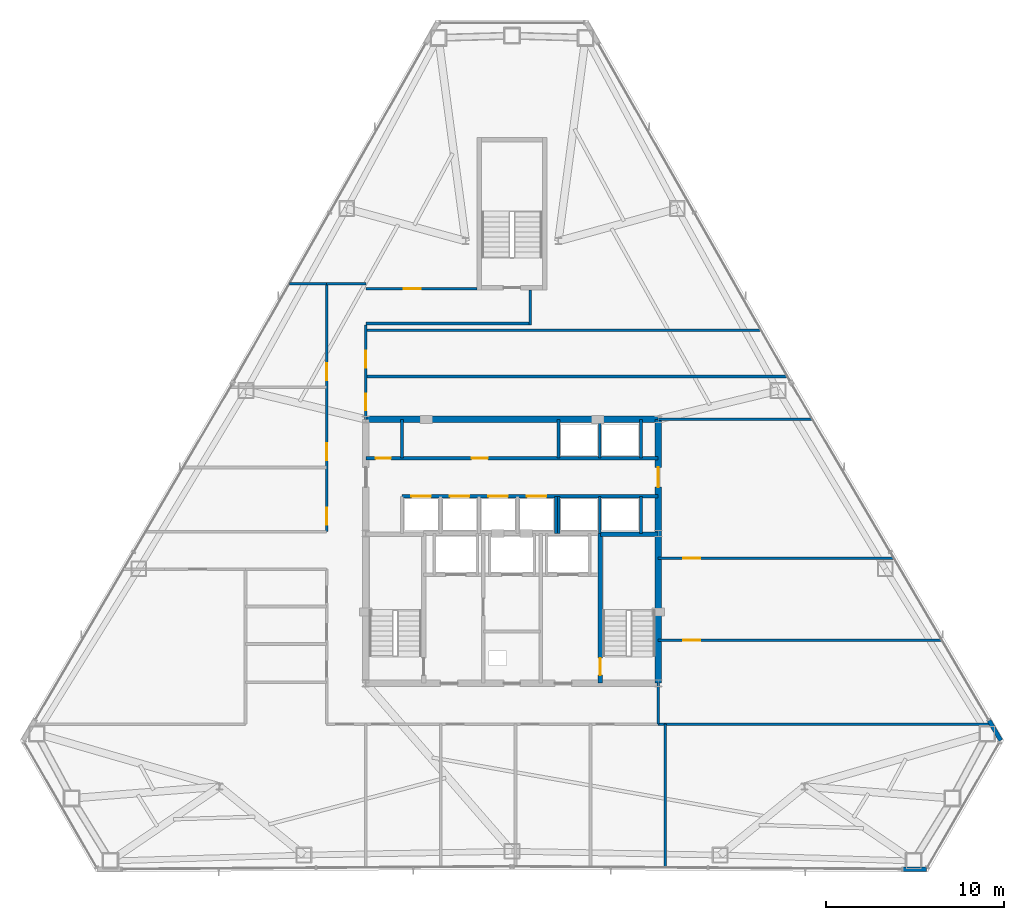
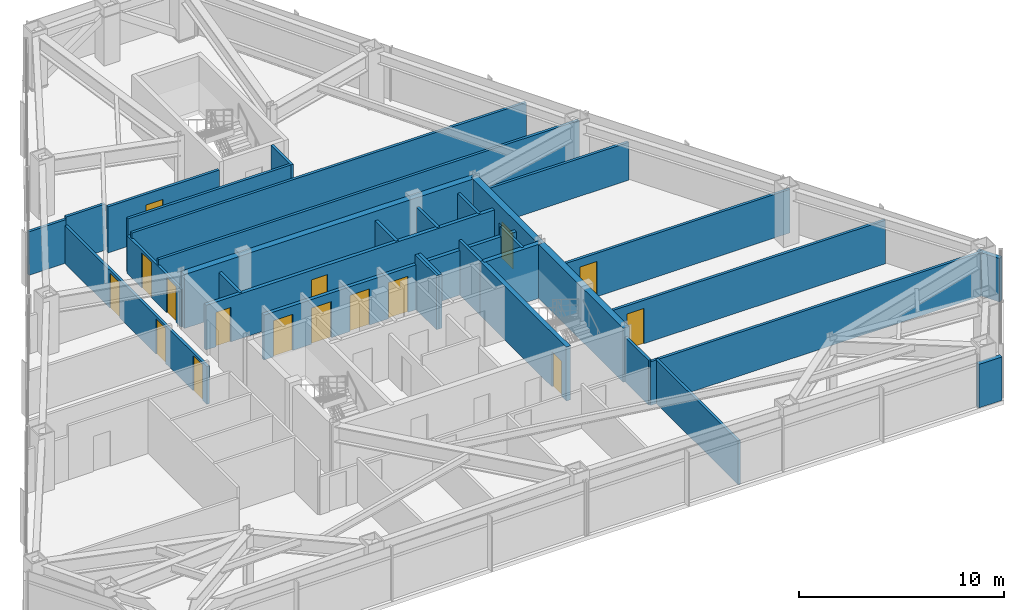
# One storey, part 11 of 13: 31 walls, 16 doors, 16 openings.
"""IFC4 building model written with IfcOpenShell, lengths in metres."""

from ifc_helpers import new_model, si_unit, direction, frame, frame_2d, origin, place, context, subcontext, project, spatial, rectangle, extrude, material, layer, layer_set, type_object, element, fill, save


model = new_model("IFC4")

# Units and contexts
model_context = context("Model", 3, precision=1e-05, world=origin(), true_north=direction((0.0, 1.0)))
body_context = subcontext(model_context, "Body", "Model", "MODEL_VIEW")
ifc_project = project(units=[si_unit("LENGTHUNIT", "METRE"), si_unit("AREAUNIT", "SQUARE_METRE"), si_unit("VOLUMEUNIT", "CUBIC_METRE"), si_unit("PLANEANGLEUNIT", "RADIAN"), si_unit("MASSUNIT", "GRAM", prefix="KILO")], contexts=[model_context])

# Site, building, storey
site_placement = place(None, origin())
site = spatial("IfcSite", under=ifc_project, at=site_placement, CompositionType="ELEMENT")
building_placement = place(site_placement, origin())
building = spatial("IfcBuilding", under=site, at=building_placement, Name="Varakhsha Concourse Tower", CompositionType="ELEMENT")
storey_placement = place(building_placement, frame((0.0, 0.0, 133.25)))
storey = spatial("IfcBuildingStorey", under=building, at=storey_placement, Name="L38", CompositionType="ELEMENT", Elevation=133.25)

# Wall
ifc_material_1 = material(Name="Concrete fc 65 MPa", Category="concrete")
ifc_layer_1 = layer(ifc_material_1, 0.35009765625, Name="WL-CORE-350")
ifc_layer_set_1 = layer_set([ifc_layer_1], Name="Concrete fc 65 MPa")
wall_type_1 = type_object("IfcWallType", Name="WL-CORE-350", PredefinedType="SHEAR", material=ifc_layer_set_1)
wall_1_placement = place(storey_placement, frame((31.800048828125, 31.199951171875, 0.0), z_axis=(0.0, 0.0, 1.0), x_axis=(1.0, 0.0, 0.0)))
element("IfcWall", 1, at=wall_1_placement, inside=storey, type_object=wall_type_1, Name="L38 Wall CWALL-N-L38", PredefinedType="SHEAR", context=body_context, shape_type="SweptSolid", body=[
    extrude(rectangle(XDim=16.39990234375, YDim=0.35009765625, at=frame_2d((8.199951171875, 0.0))), origin(), (0.0, 0.0, 1.0), 3.2099609375),
])

# Wall, opening, door
wall_2_placement = place(storey_placement, frame((48.199951171875, 16.39990234375, 0.0), z_axis=(0.0, 0.0, 1.0), x_axis=(0.0, 1.0, 0.0)))
wall_2 = element("IfcWall", 2, at=wall_2_placement, inside=storey, type_object=wall_type_1, Name="L38 Wall CWALL-E-L38", PredefinedType="SHEAR", context=body_context, shape_type="SweptSolid", body=[
    extrude(rectangle(XDim=14.800048828125, YDim=0.35009765625, at=frame_2d((7.39990234375, 0.0))), origin(), (0.0, 0.0, 1.0), 3.2099609375),
])
opening_1_placement = place(wall_2_placement, frame((11.0, 0.0, 0.0)))
opening_1 = element("IfcOpeningElement", 3, at=opening_1_placement, cuts=wall_2, Name="Opening DL-01", PredefinedType="OPENING", context=body_context, shape_type="SweptSolid", body=[
    extrude(rectangle(XDim=1.10009765625, YDim=2.14990234375, at=frame_2d((0.550048828125, 1.074951171875))), frame((0.0, 0.18505859375, 0.0), z_axis=(0.0, -1.0, 0.0), x_axis=(1.0, 0.0, 0.0)), (0.0, 0.0, 1.0), 0.3701171875),
])
ifc_material_2 = material(Name="Anodised Bronze Architectural Aluminium AA 6063-T6", Category="aluminium")
door_type_1 = type_object("IfcDoorType", Name="DR-LOB-1100", OperationType="NOTDEFINED", PredefinedType="DOOR", material=ifc_material_2)
door_1_placement = place(opening_1_placement, origin())
door_1 = element("IfcDoor", 4, at=door_1_placement, inside=storey, type_object=door_type_1, Name="L38 Lift Lobby East Concourse Door", OperationType="SINGLE_SWING_RIGHT", OverallHeight=2.14990234375, OverallWidth=1.10009765625, PredefinedType="DOOR", context=body_context, shape_type="SweptSolid", body=[
    extrude(rectangle(XDim=1.10009765625, YDim=2.14990234375, at=frame_2d((0.550048828125, 1.074951171875))), frame((0.0, 0.02490234375, 0.0), z_axis=(0.0, -1.0, 0.0), x_axis=(1.0, 0.0, 0.0)), (0.0, 0.0, 1.0), 0.050048828125),
])
fill(opening_1, door_1)

# Walls
ifc_material_3 = material(Name="Concrete fc 45 MPa", Category="concrete")
ifc_layer_2 = layer(ifc_material_3, 0.239990234375, Name="WL-EXT-CRN-240")
ifc_layer_set_2 = layer_set([ifc_layer_2], Name="Concrete fc 45 MPa")
wall_type_2 = type_object("IfcWallType", Name="WL-EXT-CRN-240", PredefinedType="SHEAR", material=ifc_layer_set_2)
for number, where, z_axis, x_axis, name in (
    (5, (61.9453125, 5.96923828125, 0.0), (0.0, 0.0, 1.0), (0.999978318694, -0.006584993632, 0.0), "L38 Wind-Corner Shoulder Wall F6"),
    (6, (67.417236328125, 13.190673828125, 0.0), (0.0, 0.0, 1.0), (-0.50575330013, 0.86267815517, 0.0), "L38 Wind-Corner Shoulder Wall F8"),
):
    element("IfcWall", number, at=place(storey_placement, frame(where, z_axis=z_axis, x_axis=x_axis)), inside=storey, type_object=wall_type_2, Name=name, PredefinedType="SHEAR", context=body_context, shape_type="SweptSolid", body=[
        extrude(rectangle(XDim=1.297607421875, YDim=0.239990234375, at=frame_2d((0.64892578125, 0.0))), origin(), (0.0, 0.0, 1.0), 2.5830078125),
    ])
ifc_material_4 = material(Name="Fire-Rated Type X Gypsum Partition Assembly", Category="gypsum")
ifc_layer_3 = layer(ifc_material_4, 0.14990234375, Name="WL-PART-150")
ifc_layer_set_3 = layer_set([ifc_layer_3], Name="Fire-Rated Type X Gypsum Partition Assembly")
wall_type_3 = type_object("IfcWallType", Name="WL-PART-150", PredefinedType="PARTITIONING", material=ifc_layer_set_3)
wall_3_placement = place(storey_placement, frame((48.199951171875, 14.10009765625, 0.0), z_axis=(0.0, 0.0, 1.0), x_axis=(0.0, 1.0, 0.0)))
element("IfcWall", 7, at=wall_3_placement, inside=storey, type_object=wall_type_3, Name="L38 Wall CRW-SE-L38", PredefinedType="PARTITIONING", context=body_context, shape_type="SweptSolid", body=[
    extrude(rectangle(XDim=2.2998046875, YDim=0.14990234375, at=frame_2d((1.14990234375, 0.0))), origin(), (0.0, 0.0, 1.0), 2.660888671875),
])

# Wall, openings, doors
wall_4_placement = place(storey_placement, frame((29.60009765625, 24.89990234375, 0.0), z_axis=(0.0, 0.0, 1.0), x_axis=(0.0, 1.0, 0.0)))
wall_4 = element("IfcWall", 8, at=wall_4_placement, inside=storey, type_object=wall_type_3, Name="L38 Wall CRW-WN-L38", PredefinedType="PARTITIONING", context=body_context, shape_type="SweptSolid", body=[
    extrude(rectangle(XDim=13.900146484375, YDim=0.14990234375, at=frame_2d((6.9501953125, 0.0))), origin(), (0.0, 0.0, 1.0), 2.251953125),
])
opening_2_placement = place(wall_4_placement, frame((0.39990234375, 0.0, 0.0)))
opening_2 = element("IfcOpeningElement", 9, at=opening_2_placement, cuts=wall_4, Name="Opening DF-05", PredefinedType="OPENING", context=body_context, shape_type="SweptSolid", body=[
    extrude(rectangle(XDim=0.949951171875, YDim=2.10009765625, at=frame_2d((0.47509765625, 1.050048828125))), frame((0.0, 0.0849609375, 0.0), z_axis=(0.0, -1.0, 0.0), x_axis=(1.0, 0.0, 0.0)), (0.0, 0.0, 1.0), 0.169921875),
])
opening_3_placement = place(wall_4_placement, frame((4.0, 0.0, 0.0)))
opening_3 = element("IfcOpeningElement", 10, at=opening_3_placement, cuts=wall_4, Name="Opening DF-05", PredefinedType="OPENING", context=body_context, shape_type="SweptSolid", body=[
    extrude(rectangle(XDim=0.949951171875, YDim=2.10009765625, at=frame_2d((0.47509765625, 1.050048828125))), frame((0.0, 0.0849609375, 0.0), z_axis=(0.0, -1.0, 0.0), x_axis=(1.0, 0.0, 0.0)), (0.0, 0.0, 1.0), 0.169921875),
])
opening_4_placement = place(wall_4_placement, frame((8.5, 0.0, 0.0)))
opening_4 = element("IfcOpeningElement", 11, at=opening_4_placement, cuts=wall_4, Name="Opening DF-05", PredefinedType="OPENING", context=body_context, shape_type="SweptSolid", body=[
    extrude(rectangle(XDim=0.949951171875, YDim=2.10009765625, at=frame_2d((0.47509765625, 1.050048828125))), frame((0.0, 0.0849609375, 0.0), z_axis=(0.0, -1.0, 0.0), x_axis=(1.0, 0.0, 0.0)), (0.0, 0.0, 1.0), 0.169921875),
])
ifc_material_5 = material(Name="Hollow Galvanised Steel Fire Door Assembly", Category="steel")
door_type_2 = type_object("IfcDoorType", Name="DR-FD60-950", OperationType="NOTDEFINED", PredefinedType="DOOR", material=ifc_material_5)
door_2_placement = place(opening_2_placement, origin())
door_2 = element("IfcDoor", 12, at=door_2_placement, inside=storey, type_object=door_type_2, Name="L38 Lab Staff Refreshment Kitchen L38-NW Door", OperationType="SINGLE_SWING_RIGHT", OverallHeight=2.10009765625, OverallWidth=0.949951171875, PredefinedType="DOOR", context=body_context, shape_type="SweptSolid", body=[
    extrude(rectangle(XDim=0.949951171875, YDim=2.10009765625, at=frame_2d((0.47509765625, 1.050048828125))), frame((0.0, 0.02490234375, 0.0), z_axis=(0.0, -1.0, 0.0), x_axis=(1.0, 0.0, 0.0)), (0.0, 0.0, 1.0), 0.050048828125),
])
fill(opening_2, door_2)
door_3_placement = place(opening_3_placement, origin())
door_3 = element("IfcDoor", 13, at=door_3_placement, inside=storey, type_object=door_type_2, Name="L38 Dry R&D Design Lab L38-W2 Door", OperationType="SINGLE_SWING_LEFT", OverallHeight=2.10009765625, OverallWidth=0.949951171875, PredefinedType="DOOR", context=body_context, shape_type="SweptSolid", body=[
    extrude(rectangle(XDim=0.949951171875, YDim=2.10009765625, at=frame_2d((0.47509765625, 1.050048828125))), frame((0.0, 0.02490234375, 0.0), z_axis=(0.0, -1.0, 0.0), x_axis=(1.0, 0.0, 0.0)), (0.0, 0.0, 1.0), 0.050048828125),
])
fill(opening_3, door_3)
door_4_placement = place(opening_4_placement, origin())
door_4 = element("IfcDoor", 14, at=door_4_placement, inside=storey, type_object=door_type_2, Name="L38 Dry R&D Design Lab L38-W3 Door", OperationType="SINGLE_SWING_RIGHT", OverallHeight=2.10009765625, OverallWidth=0.949951171875, PredefinedType="DOOR", context=body_context, shape_type="SweptSolid", body=[
    extrude(rectangle(XDim=0.949951171875, YDim=2.10009765625, at=frame_2d((0.47509765625, 1.050048828125))), frame((0.0, 0.02490234375, 0.0), z_axis=(0.0, -1.0, 0.0), x_axis=(1.0, 0.0, 0.0)), (0.0, 0.0, 1.0), 0.050048828125),
])
fill(opening_4, door_4)

wall_5_placement = place(storey_placement, frame((31.800048828125, 31.199951171875, 0.0), z_axis=(0.0, 0.0, 1.0), x_axis=(0.0, 1.0, 0.0)))
wall_5 = element("IfcWall", 15, at=wall_5_placement, inside=storey, type_object=wall_type_3, Name="L38 Wall CRW-NE-L38", PredefinedType="PARTITIONING", context=body_context, shape_type="SweptSolid", body=[
    extrude(rectangle(XDim=5.300048828125, YDim=0.14990234375, at=frame_2d((2.64990234375, 0.0))), origin(), (0.0, 0.0, 1.0), 2.251953125),
])
opening_5_placement = place(wall_5_placement, frame((0.5, 0.0, 0.0)))
opening_5 = element("IfcOpeningElement", 16, at=opening_5_placement, cuts=wall_5, Name="Opening DF-05", PredefinedType="OPENING", context=body_context, shape_type="SweptSolid", body=[
    extrude(rectangle(XDim=0.949951171875, YDim=2.10009765625, at=frame_2d((0.47509765625, 1.050048828125))), frame((0.0, 0.0849609375, 0.0), z_axis=(0.0, -1.0, 0.0), x_axis=(1.0, 0.0, 0.0)), (0.0, 0.0, 1.0), 0.169921875),
])
opening_6_placement = place(wall_5_placement, frame((2.89990234375, 0.0, 0.0)))
opening_6 = element("IfcOpeningElement", 17, at=opening_6_placement, cuts=wall_5, Name="Opening DF-05", PredefinedType="OPENING", context=body_context, shape_type="SweptSolid", body=[
    extrude(rectangle(XDim=0.949951171875, YDim=2.10009765625, at=frame_2d((0.47509765625, 1.050048828125))), frame((0.0, 0.0849609375, 0.0), z_axis=(0.0, -1.0, 0.0), x_axis=(1.0, 0.0, 0.0)), (0.0, 0.0, 1.0), 0.169921875),
])
door_5_placement = place(opening_5_placement, origin())
door_5 = element("IfcDoor", 18, at=door_5_placement, inside=storey, type_object=door_type_2, Name="L38 Mountain View BIM Coordination Workroom L38-NE1 Door", OperationType="SINGLE_SWING_RIGHT", OverallHeight=2.10009765625, OverallWidth=0.949951171875, PredefinedType="DOOR", context=body_context, shape_type="SweptSolid", body=[
    extrude(rectangle(XDim=0.949951171875, YDim=2.10009765625, at=frame_2d((0.47509765625, 1.050048828125))), frame((0.0, 0.02490234375, 0.0), z_axis=(0.0, -1.0, 0.0), x_axis=(1.0, 0.0, 0.0)), (0.0, 0.0, 1.0), 0.050048828125),
])
fill(opening_5, door_5)
door_6_placement = place(opening_6_placement, origin())
door_6 = element("IfcDoor", 19, at=door_6_placement, inside=storey, type_object=door_type_2, Name="L38 Apex Dry R&D Design Lab L38-NE2 Door", OperationType="SINGLE_SWING_RIGHT", OverallHeight=2.10009765625, OverallWidth=0.949951171875, PredefinedType="DOOR", context=body_context, shape_type="SweptSolid", body=[
    extrude(rectangle(XDim=0.949951171875, YDim=2.10009765625, at=frame_2d((0.47509765625, 1.050048828125))), frame((0.0, 0.02490234375, 0.0), z_axis=(0.0, -1.0, 0.0), x_axis=(1.0, 0.0, 0.0)), (0.0, 0.0, 1.0), 0.050048828125),
])
fill(opening_6, door_6)

# Walls
wall_6_placement = place(storey_placement, frame((29.60009765625, 38.800048828125, 0.0), z_axis=(0.0, 0.0, 1.0), x_axis=(1.0, 0.0, 0.0)))
element("IfcWall", 20, at=wall_6_placement, inside=storey, type_object=wall_type_3, Name="L38 Wall CRW-NCAP-L38", PredefinedType="PARTITIONING", context=body_context, shape_type="SweptSolid", body=[
    extrude(rectangle(XDim=2.199951171875, YDim=0.14990234375, at=frame_2d((1.10009765625, 0.0))), origin(), (0.0, 0.0, 1.0), 2.742919921875),
])
wall_7_placement = place(storey_placement, frame((48.60009765625, 6.06494140625, 0.0), z_axis=(0.0, 0.0, 1.0), x_axis=(0.0, 1.0, 0.0)))
element("IfcWall", 21, at=wall_7_placement, inside=storey, type_object=wall_type_3, Name="L38 Wall ODIV-S5-L38", PredefinedType="PARTITIONING", context=body_context, shape_type="SweptSolid", body=[
    extrude(rectangle(XDim=8.03515625, YDim=0.14990234375, at=frame_2d((4.017578125, 0.0))), origin(), (0.0, 0.0, 1.0), 2.589111328125),
])
wall_8_placement = place(storey_placement, frame((27.506103515625, 38.800048828125, 0.0), z_axis=(0.0, 0.0, 1.0), x_axis=(1.0, 0.0, 0.0)))
element("IfcWall", 22, at=wall_8_placement, inside=storey, type_object=wall_type_3, Name="L38 Wall ODIV-NWT-L38", PredefinedType="PARTITIONING", context=body_context, shape_type="SweptSolid", body=[
    extrude(rectangle(XDim=2.093994140625, YDim=0.14990234375, at=frame_2d((1.046875, 0.0))), origin(), (0.0, 0.0, 1.0), 2.589111328125),
])
wall_9_placement = place(storey_placement, frame((48.199951171875, 31.199951171875, 0.0), z_axis=(0.0, 0.0, 1.0), x_axis=(1.0, 0.0, 0.0)))
element("IfcWall", 23, at=wall_9_placement, inside=storey, type_object=wall_type_3, Name="L38 Wall ODIV-NEB-L38", PredefinedType="PARTITIONING", context=body_context, shape_type="SweptSolid", body=[
    extrude(rectangle(XDim=8.650390625, YDim=0.14990234375, at=frame_2d((4.3251953125, 0.0))), origin(), (0.0, 0.0, 1.0), 2.251953125),
])
wall_10_placement = place(storey_placement, frame((31.800048828125, 33.60009765625, 0.0), z_axis=(0.0, 0.0, 1.0), x_axis=(1.0, 0.0, 0.0)))
element("IfcWall", 24, at=wall_10_placement, inside=storey, type_object=wall_type_3, Name="L38 Wall ODIV-NE1-L38", PredefinedType="PARTITIONING", context=body_context, shape_type="SweptSolid", body=[
    extrude(rectangle(XDim=23.6494140625, YDim=0.14990234375, at=frame_2d((11.82470703125, 0.0))), origin(), (0.0, 0.0, 1.0), 2.589111328125),
])
wall_11_placement = place(storey_placement, frame((31.800048828125, 36.199951171875, 0.0), z_axis=(0.0, 0.0, 1.0), x_axis=(1.0, 0.0, 0.0)))
element("IfcWall", 25, at=wall_11_placement, inside=storey, type_object=wall_type_3, Name="L38 Wall ODIV-NE2-L38", PredefinedType="PARTITIONING", context=body_context, shape_type="SweptSolid", body=[
    extrude(rectangle(XDim=22.171630859375, YDim=0.14990234375, at=frame_2d((11.0859375, 0.0))), origin(), (0.0, 0.0, 1.0), 2.589111328125),
])
wall_12_placement = place(storey_placement, frame((48.199951171875, 14.10009765625, 0.0), z_axis=(0.0, 0.0, 1.0), x_axis=(1.0, 0.0, 0.0)))
element("IfcWall", 26, at=wall_12_placement, inside=storey, type_object=wall_type_3, Name="L38 Wall ODIV-EB0-L38", PredefinedType="PARTITIONING", context=body_context, shape_type="SweptSolid", body=[
    extrude(rectangle(XDim=18.678466796875, YDim=0.14990234375, at=frame_2d((9.33935546875, 0.0))), origin(), (0.0, 0.0, 1.0), 2.589111328125),
])

# Wall, opening, door
wall_13_placement = place(storey_placement, frame((48.199951171875, 18.800048828125, 0.0), z_axis=(0.0, 0.0, 1.0), x_axis=(1.0, 0.0, 0.0)))
wall_13 = element("IfcWall", 27, at=wall_13_placement, inside=storey, type_object=wall_type_3, Name="L38 Wall ODIV-E1-L38", PredefinedType="PARTITIONING", context=body_context, shape_type="SweptSolid", body=[
    extrude(rectangle(XDim=15.922119140625, YDim=0.14990234375, at=frame_2d((7.9609375, 0.0))), origin(), (0.0, 0.0, 1.0), 2.589111328125),
])
opening_7_placement = place(wall_13_placement, frame((1.39990234375, 0.0, 0.0)))
opening_7 = element("IfcOpeningElement", 28, at=opening_7_placement, cuts=wall_13, Name="Opening DF-05", PredefinedType="OPENING", context=body_context, shape_type="SweptSolid", body=[
    extrude(rectangle(XDim=0.949951171875, YDim=2.10009765625, at=frame_2d((0.47509765625, 1.050048828125))), frame((0.0, 0.0849609375, 0.0), z_axis=(0.0, -1.0, 0.0), x_axis=(1.0, 0.0, 0.0)), (0.0, 0.0, 1.0), 0.169921875),
])
door_7_placement = place(opening_7_placement, origin())
door_7 = element("IfcDoor", 29, at=door_7_placement, inside=storey, type_object=door_type_2, Name="L38 East Suite Interconnect Door 1", OperationType="SINGLE_SWING_LEFT", OverallHeight=2.10009765625, OverallWidth=0.949951171875, PredefinedType="DOOR", context=body_context, shape_type="SweptSolid", body=[
    extrude(rectangle(XDim=0.949951171875, YDim=2.10009765625, at=frame_2d((0.47509765625, 1.050048828125))), frame((0.0, 0.02490234375, 0.0), z_axis=(0.0, -1.0, 0.0), x_axis=(1.0, 0.0, 0.0)), (0.0, 0.0, 1.0), 0.050048828125),
])
fill(opening_7, door_7)

wall_14_placement = place(storey_placement, frame((48.199951171875, 23.39990234375, 0.0), z_axis=(0.0, 0.0, 1.0), x_axis=(1.0, 0.0, 0.0)))
wall_14 = element("IfcWall", 30, at=wall_14_placement, inside=storey, type_object=wall_type_3, Name="L38 Wall ODIV-E2-L38", PredefinedType="PARTITIONING", context=body_context, shape_type="SweptSolid", body=[
    extrude(rectangle(XDim=13.224609375, YDim=0.14990234375, at=frame_2d((6.6123046875, 0.0))), origin(), (0.0, 0.0, 1.0), 2.589111328125),
])
opening_8_placement = place(wall_14_placement, frame((1.39990234375, 0.0, 0.0)))
opening_8 = element("IfcOpeningElement", 31, at=opening_8_placement, cuts=wall_14, Name="Opening DF-05", PredefinedType="OPENING", context=body_context, shape_type="SweptSolid", body=[
    extrude(rectangle(XDim=0.949951171875, YDim=2.10009765625, at=frame_2d((0.47509765625, 1.050048828125))), frame((0.0, 0.0849609375, 0.0), z_axis=(0.0, -1.0, 0.0), x_axis=(1.0, 0.0, 0.0)), (0.0, 0.0, 1.0), 0.169921875),
])
door_8_placement = place(opening_8_placement, origin())
door_8 = element("IfcDoor", 32, at=door_8_placement, inside=storey, type_object=door_type_2, Name="L38 East Suite Interconnect Door 2", OperationType="SINGLE_SWING_RIGHT", OverallHeight=2.10009765625, OverallWidth=0.949951171875, PredefinedType="DOOR", context=body_context, shape_type="SweptSolid", body=[
    extrude(rectangle(XDim=0.949951171875, YDim=2.10009765625, at=frame_2d((0.47509765625, 1.050048828125))), frame((0.0, 0.02490234375, 0.0), z_axis=(0.0, -1.0, 0.0), x_axis=(1.0, 0.0, 0.0)), (0.0, 0.0, 1.0), 0.050048828125),
])
fill(opening_8, door_8)

# Wall
wall_15_placement = place(storey_placement, frame((31.800048828125, 36.574951171875, 0.0), z_axis=(0.0, 0.0, 1.0), x_axis=(1.0, 0.0, 0.0)))
element("IfcWall", 33, at=wall_15_placement, inside=storey, type_object=wall_type_3, Name="L38 Wall STLK-S-L38", PredefinedType="PARTITIONING", context=body_context, shape_type="SweptSolid", body=[
    extrude(rectangle(XDim=9.14990234375, YDim=0.14990234375, at=frame_2d((4.574951171875, 0.0))), origin(), (0.0, 0.0, 1.0), 3.2099609375),
])

# Wall, opening, door
wall_16_placement = place(storey_placement, frame((31.800048828125, 38.52490234375, 0.0), z_axis=(0.0, 0.0, 1.0), x_axis=(1.0, 0.0, 0.0)))
wall_16 = element("IfcWall", 34, at=wall_16_placement, inside=storey, type_object=wall_type_3, Name="L38 Wall STLK-N-L38", PredefinedType="PARTITIONING", context=body_context, shape_type="SweptSolid", body=[
    extrude(rectangle(XDim=6.25, YDim=0.14990234375, at=frame_2d((3.125, 0.0))), origin(), (0.0, 0.0, 1.0), 2.742919921875),
])
opening_9_placement = place(wall_16_placement, frame((2.125, 0.0, 0.0)))
opening_9 = element("IfcOpeningElement", 35, at=opening_9_placement, cuts=wall_16, Name="Opening DF-05", PredefinedType="OPENING", context=body_context, shape_type="SweptSolid", body=[
    extrude(rectangle(XDim=0.949951171875, YDim=2.10009765625, at=frame_2d((0.47509765625, 1.050048828125))), frame((0.0, 0.0849609375, 0.0), z_axis=(0.0, -1.0, 0.0), x_axis=(1.0, 0.0, 0.0)), (0.0, 0.0, 1.0), 0.169921875),
])
door_9_placement = place(opening_9_placement, origin())
door_9 = element("IfcDoor", 36, at=door_9_placement, inside=storey, type_object=door_type_2, Name="L38 Apex Dry R&D Design Lab L38-NE3 Door", OperationType="SINGLE_SWING_RIGHT", OverallHeight=2.10009765625, OverallWidth=0.949951171875, PredefinedType="DOOR", context=body_context, shape_type="SweptSolid", body=[
    extrude(rectangle(XDim=0.949951171875, YDim=2.10009765625, at=frame_2d((0.47509765625, 1.050048828125))), frame((0.0, 0.02490234375, 0.0), z_axis=(0.0, -1.0, 0.0), x_axis=(1.0, 0.0, 0.0)), (0.0, 0.0, 1.0), 0.050048828125),
])
fill(opening_9, door_9)

# Wall
wall_17_placement = place(storey_placement, frame((41.02490234375, 36.5, 0.0), z_axis=(0.0, 0.0, 1.0), x_axis=(0.0, 1.0, 0.0)))
element("IfcWall", 37, at=wall_17_placement, inside=storey, type_object=wall_type_3, Name="L38 Wall STLK-E-L38", PredefinedType="PARTITIONING", context=body_context, shape_type="SweptSolid", body=[
    extrude(rectangle(XDim=1.949951171875, YDim=0.14990234375, at=frame_2d((0.97509765625, 0.0))), origin(), (0.0, 0.0, 1.0), 3.2099609375),
])

# Wall, openings, doors
ifc_layer_4 = layer(ifc_material_4, 0.199951171875, Name="WL-SHAFT-220")
ifc_layer_set_4 = layer_set([ifc_layer_4], Name="Fire-Rated Type X Gypsum Partition Assembly")
wall_type_4 = type_object("IfcWallType", Name="WL-SHAFT-220", PredefinedType="SOLIDWALL", material=ifc_layer_set_4)
wall_18_placement = place(storey_placement, frame((31.800048828125, 29.02001953125, 0.0), z_axis=(0.0, 0.0, 1.0), x_axis=(1.0, 0.0, 0.0)))
wall_18 = element("IfcWall", 38, at=wall_18_placement, inside=storey, type_object=wall_type_4, Name="L38 Wall PLW-N-L38", PredefinedType="SOLIDWALL", context=body_context, shape_type="SweptSolid", body=[
    extrude(rectangle(XDim=16.39990234375, YDim=0.199951171875, at=frame_2d((8.199951171875, 0.0))), origin(), (0.0, 0.0, 1.0), 2.660888671875),
])
opening_10_placement = place(wall_18_placement, frame((0.550048828125, 0.0, 0.0)))
opening_10 = element("IfcOpeningElement", 39, at=opening_10_placement, cuts=wall_18, Name="Opening DF-07", PredefinedType="OPENING", context=body_context, shape_type="SweptSolid", body=[
    extrude(rectangle(XDim=0.85009765625, YDim=2.050048828125, at=frame_2d((0.425048828125, 1.02490234375))), frame((0.0, 0.10986328125, 0.0), z_axis=(0.0, -1.0, 0.0), x_axis=(1.0, 0.0, 0.0)), (0.0, 0.0, 1.0), 0.219970703125),
])
opening_11_placement = place(wall_18_placement, frame((5.93994140625, 0.0, 0.0)))
opening_11 = element("IfcOpeningElement", 40, at=opening_11_placement, cuts=wall_18, Name="Opening DF-06", PredefinedType="OPENING", context=body_context, shape_type="SweptSolid", body=[
    extrude(rectangle(XDim=0.89990234375, YDim=2.10009765625, at=frame_2d((0.449951171875, 1.050048828125))), frame((0.0, 0.10986328125, 0.0), z_axis=(0.0, -1.0, 0.0), x_axis=(1.0, 0.0, 0.0)), (0.0, 0.0, 1.0), 0.219970703125),
])
door_type_3 = type_object("IfcDoorType", Name="DR-FD60-850", OperationType="NOTDEFINED", PredefinedType="DOOR", material=ifc_material_5)
door_10_placement = place(opening_10_placement, origin())
door_10 = element("IfcDoor", 41, at=door_10_placement, inside=storey, type_object=door_type_3, Name="L38 Core Janitor Closet Door", OperationType="SINGLE_SWING_LEFT", OverallHeight=2.050048828125, OverallWidth=0.85009765625, PredefinedType="DOOR", context=body_context, shape_type="SweptSolid", body=[
    extrude(rectangle(XDim=0.85009765625, YDim=2.050048828125, at=frame_2d((0.425048828125, 1.02490234375))), frame((0.0, 0.02490234375, 0.0), z_axis=(0.0, -1.0, 0.0), x_axis=(1.0, 0.0, 0.0)), (0.0, 0.0, 1.0), 0.050048828125),
])
fill(opening_10, door_10)
door_type_4 = type_object("IfcDoorType", Name="DR-FD60-900", OperationType="NOTDEFINED", PredefinedType="DOOR", material=ifc_material_5)
door_11_placement = place(opening_11_placement, origin())
door_11 = element("IfcDoor", 42, at=door_11_placement, inside=storey, type_object=door_type_4, Name="L38 Tenant Archive and IT Server Room Door", OperationType="SINGLE_SWING_LEFT", OverallHeight=2.10009765625, OverallWidth=0.89990234375, PredefinedType="DOOR", context=body_context, shape_type="SweptSolid", body=[
    extrude(rectangle(XDim=0.89990234375, YDim=2.10009765625, at=frame_2d((0.449951171875, 1.050048828125))), frame((0.0, 0.02490234375, 0.0), z_axis=(0.0, -1.0, 0.0), x_axis=(1.0, 0.0, 0.0)), (0.0, 0.0, 1.0), 0.050048828125),
])
fill(opening_11, door_11)

wall_19_placement = place(storey_placement, frame((33.820068359375, 26.8798828125, 0.0), z_axis=(0.0, 0.0, 1.0), x_axis=(1.0, 0.0, 0.0)))
wall_19 = element("IfcWall", 43, at=wall_19_placement, inside=storey, type_object=wall_type_4, Name="L38 Wall PLW-S-L38", PredefinedType="SOLIDWALL", context=body_context, shape_type="SweptSolid", body=[
    extrude(rectangle(XDim=14.3798828125, YDim=0.199951171875, at=frame_2d((7.18994140625, 0.0))), origin(), (0.0, 0.0, 1.0), 2.660888671875),
])
opening_12_placement = place(wall_19_placement, frame((0.530029296875, 0.0, 0.0)))
opening_12 = element("IfcOpeningElement", 44, at=opening_12_placement, cuts=wall_19, Name="Opening LD-LF-P05", PredefinedType="OPENING", context=body_context, shape_type="SweptSolid", body=[
    extrude(rectangle(XDim=1.10009765625, YDim=2.14990234375, at=frame_2d((0.550048828125, 1.074951171875))), frame((0.0, 0.10986328125, 0.0), z_axis=(0.0, -1.0, 0.0), x_axis=(1.0, 0.0, 0.0)), (0.0, 0.0, 1.0), 0.219970703125),
])
opening_13_placement = place(wall_19_placement, frame((2.68994140625, 0.0, 0.0)))
opening_13 = element("IfcOpeningElement", 45, at=opening_13_placement, cuts=wall_19, Name="Opening LD-LF-P06", PredefinedType="OPENING", context=body_context, shape_type="SweptSolid", body=[
    extrude(rectangle(XDim=1.10009765625, YDim=2.14990234375, at=frame_2d((0.550048828125, 1.074951171875))), frame((0.0, 0.10986328125, 0.0), z_axis=(0.0, -1.0, 0.0), x_axis=(1.0, 0.0, 0.0)), (0.0, 0.0, 1.0), 0.219970703125),
])
opening_14_placement = place(wall_19_placement, frame((4.85009765625, 0.0, 0.0)))
opening_14 = element("IfcOpeningElement", 46, at=opening_14_placement, cuts=wall_19, Name="Opening LD-LF-P07", PredefinedType="OPENING", context=body_context, shape_type="SweptSolid", body=[
    extrude(rectangle(XDim=1.10009765625, YDim=2.14990234375, at=frame_2d((0.550048828125, 1.074951171875))), frame((0.0, 0.10986328125, 0.0), z_axis=(0.0, -1.0, 0.0), x_axis=(1.0, 0.0, 0.0)), (0.0, 0.0, 1.0), 0.219970703125),
])
opening_15_placement = place(wall_19_placement, frame((7.010009765625, 0.0, 0.0)))
opening_15 = element("IfcOpeningElement", 47, at=opening_15_placement, cuts=wall_19, Name="Opening LD-LF-P08", PredefinedType="OPENING", context=body_context, shape_type="SweptSolid", body=[
    extrude(rectangle(XDim=1.10009765625, YDim=2.14990234375, at=frame_2d((0.550048828125, 1.074951171875))), frame((0.0, 0.10986328125, 0.0), z_axis=(0.0, -1.0, 0.0), x_axis=(1.0, 0.0, 0.0)), (0.0, 0.0, 1.0), 0.219970703125),
])
ifc_material_6 = material(Name="Brushed Austenitic Stainless Steel AISI 316", Category="steel")
door_type_5 = type_object("IfcDoorType", Name="DR-LD-1100", OperationType="DOUBLE_DOOR_SLIDING", PredefinedType="DOOR", material=ifc_material_6)
door_12_placement = place(opening_12_placement, origin())
door_12 = element("IfcDoor", 48, at=door_12_placement, inside=storey, type_object=door_type_5, Name="Lift Landing Door LF-P05 L38", OperationType="DOUBLE_DOOR_SLIDING", OverallHeight=2.14990234375, OverallWidth=1.10009765625, PredefinedType="DOOR", context=body_context, shape_type="SweptSolid", body=[
    extrude(rectangle(XDim=1.10009765625, YDim=2.14990234375, at=frame_2d((0.550048828125, 1.074951171875))), frame((0.0, 0.02490234375, 0.0), z_axis=(0.0, -1.0, 0.0), x_axis=(1.0, 0.0, 0.0)), (0.0, 0.0, 1.0), 0.050048828125),
])
fill(opening_12, door_12)
door_13_placement = place(opening_13_placement, origin())
door_13 = element("IfcDoor", 49, at=door_13_placement, inside=storey, type_object=door_type_5, Name="Lift Landing Door LF-P06 L38", OperationType="DOUBLE_DOOR_SLIDING", OverallHeight=2.14990234375, OverallWidth=1.10009765625, PredefinedType="DOOR", context=body_context, shape_type="SweptSolid", body=[
    extrude(rectangle(XDim=1.10009765625, YDim=2.14990234375, at=frame_2d((0.550048828125, 1.074951171875))), frame((0.0, 0.02490234375, 0.0), z_axis=(0.0, -1.0, 0.0), x_axis=(1.0, 0.0, 0.0)), (0.0, 0.0, 1.0), 0.050048828125),
])
fill(opening_13, door_13)
door_14_placement = place(opening_14_placement, origin())
door_14 = element("IfcDoor", 50, at=door_14_placement, inside=storey, type_object=door_type_5, Name="Lift Landing Door LF-P07 L38", OperationType="DOUBLE_DOOR_SLIDING", OverallHeight=2.14990234375, OverallWidth=1.10009765625, PredefinedType="DOOR", context=body_context, shape_type="SweptSolid", body=[
    extrude(rectangle(XDim=1.10009765625, YDim=2.14990234375, at=frame_2d((0.550048828125, 1.074951171875))), frame((0.0, 0.02490234375, 0.0), z_axis=(0.0, -1.0, 0.0), x_axis=(1.0, 0.0, 0.0)), (0.0, 0.0, 1.0), 0.050048828125),
])
fill(opening_14, door_14)
door_15_placement = place(opening_15_placement, origin())
door_15 = element("IfcDoor", 51, at=door_15_placement, inside=storey, type_object=door_type_5, Name="Lift Landing Door LF-P08 L38", OperationType="DOUBLE_DOOR_SLIDING", OverallHeight=2.14990234375, OverallWidth=1.10009765625, PredefinedType="DOOR", context=body_context, shape_type="SweptSolid", body=[
    extrude(rectangle(XDim=1.10009765625, YDim=2.14990234375, at=frame_2d((0.550048828125, 1.074951171875))), frame((0.0, 0.02490234375, 0.0), z_axis=(0.0, -1.0, 0.0), x_axis=(1.0, 0.0, 0.0)), (0.0, 0.0, 1.0), 0.050048828125),
])
fill(opening_15, door_15)

# Walls
wall_20_placement = place(storey_placement, frame((33.820068359375, 29.02001953125, 0.0), z_axis=(0.0, 0.0, 1.0), x_axis=(0.0, 1.0, 0.0)))
element("IfcWall", 52, at=wall_20_placement, inside=storey, type_object=wall_type_4, Name="L38 Wall WBOH-E1-L38", PredefinedType="SOLIDWALL", context=body_context, shape_type="SweptSolid", body=[
    extrude(rectangle(XDim=2.179931640625, YDim=0.159912109375, at=frame_2d((1.08984375, 0.0))), origin(), (0.0, 0.0, 1.0), 2.660888671875),
])
wall_21_placement = place(storey_placement, frame((42.4599609375, 24.800048828125, 0.0), z_axis=(0.0, 0.0, 1.0), x_axis=(0.0, 1.0, 0.0)))
element("IfcWall", 53, at=wall_21_placement, inside=storey, type_object=wall_type_4, Name="L38 Wall SHW-LF-P08-E-L38", PredefinedType="SOLIDWALL", context=body_context, shape_type="SweptSolid", body=[
    extrude(rectangle(XDim=2.079833984375, YDim=0.159912109375, at=frame_2d((1.0400390625, 0.0))), origin(), (0.0, 0.0, 1.0), 3.2099609375),
])
for number, where, z_axis, x_axis, name in (
    (54, (42.60009765625, 29.02001953125, 0.0), (0.0, 0.0, 1.0), (0.0, 1.0, 0.0), "L38 Wall SHW-LF-P09-W-L38"),
    (55, (44.919921875, 29.02001953125, 0.0), (0.0, 0.0, 1.0), (0.0, 1.0, 0.0), "L38 Wall SHW-LF-P09-E-L38"),
    (56, (47.239990234375, 29.02001953125, 0.0), (0.0, 0.0, 1.0), (0.0, 1.0, 0.0), "L38 Wall SHW-LF-P10-E-L38"),
):
    element("IfcWall", number, at=place(storey_placement, frame(where, z_axis=z_axis, x_axis=x_axis)), inside=storey, type_object=wall_type_4, Name=name, PredefinedType="SOLIDWALL", context=body_context, shape_type="SweptSolid", body=[
        extrude(rectangle(XDim=2.179931640625, YDim=0.159912109375, at=frame_2d((1.08984375, 0.0))), origin(), (0.0, 0.0, 1.0), 2.660888671875),
    ])
for number, where, z_axis, x_axis, name in (
    (57, (42.60009765625, 24.800048828125, 0.0), (0.0, 0.0, 1.0), (0.0, 1.0, 0.0), "L38 Wall SHW-LF-P11-W-L38"),
    (58, (44.919921875, 24.800048828125, 0.0), (0.0, 0.0, 1.0), (0.0, 1.0, 0.0), "L38 Wall SHW-LF-P11-E-L38"),
    (59, (47.239990234375, 24.800048828125, 0.0), (0.0, 0.0, 1.0), (0.0, 1.0, 0.0), "L38 Wall SHW-LF-P12-E-L38"),
):
    element("IfcWall", number, at=place(storey_placement, frame(where, z_axis=z_axis, x_axis=x_axis)), inside=storey, type_object=wall_type_4, Name=name, PredefinedType="SOLIDWALL", context=body_context, shape_type="SweptSolid", body=[
        extrude(rectangle(XDim=2.079833984375, YDim=0.159912109375, at=frame_2d((1.0400390625, 0.0))), origin(), (0.0, 0.0, 1.0), 3.2099609375),
    ])

# Wall, opening, door
ifc_layer_5 = layer(ifc_material_3, 0.25, Name="WL-STAIR-250")
ifc_layer_set_5 = layer_set([ifc_layer_5], Name="Concrete fc 45 MPa")
wall_type_5 = type_object("IfcWallType", Name="WL-STAIR-250", PredefinedType="SHEAR", material=ifc_layer_set_5)
wall_22_placement = place(storey_placement, frame((44.955078125, 16.39990234375, 0.0), z_axis=(0.0, 0.0, 1.0), x_axis=(0.0, 1.0, 0.0)))
wall_22 = element("IfcWall", 60, at=wall_22_placement, inside=storey, type_object=wall_type_5, Name="L38 Wall SWALL-ST2-W-L38", PredefinedType="SHEAR", context=body_context, shape_type="SweptSolid", body=[
    extrude(rectangle(XDim=8.400146484375, YDim=0.25, at=frame_2d((4.2001953125, 0.0))), origin(), (0.0, 0.0, 1.0), 3.2099609375),
])
opening_16_placement = place(wall_22_placement, frame((0.449951171875, 0.0, 0.0)))
opening_16 = element("IfcOpeningElement", 61, at=opening_16_placement, cuts=wall_22, Name="Opening DF-03", PredefinedType="OPENING", context=body_context, shape_type="SweptSolid", body=[
    extrude(rectangle(XDim=0.949951171875, YDim=2.10009765625, at=frame_2d((0.47509765625, 1.050048828125))), frame((0.0, 0.135009765625, 0.0), z_axis=(0.0, -1.0, 0.0), x_axis=(1.0, 0.0, 0.0)), (0.0, 0.0, 1.0), 0.27001953125),
])
door_type_6 = type_object("IfcDoorType", Name="DR-FD90-950", OperationType="NOTDEFINED", PredefinedType="DOOR", material=ifc_material_5)
door_16_placement = place(opening_16_placement, origin())
door_16 = element("IfcDoor", 62, at=door_16_placement, inside=storey, type_object=door_type_6, Name="L38 Stair ST2 Fire Door", OperationType="SINGLE_SWING_RIGHT", OverallHeight=2.10009765625, OverallWidth=0.949951171875, PredefinedType="DOOR", context=body_context, shape_type="SweptSolid", body=[
    extrude(rectangle(XDim=0.949951171875, YDim=2.10009765625, at=frame_2d((0.47509765625, 1.050048828125))), frame((0.0, 0.02490234375, 0.0), z_axis=(0.0, -1.0, 0.0), x_axis=(1.0, 0.0, 0.0)), (0.0, 0.0, 1.0), 0.050048828125),
])
fill(opening_16, door_16)

# Wall
wall_23_placement = place(storey_placement, frame((44.955078125, 24.7548828125, 0.0), z_axis=(0.0, 0.0, 1.0), x_axis=(1.0, 0.0, 0.0)))
element("IfcWall", 63, at=wall_23_placement, inside=storey, type_object=wall_type_5, Name="L38 Wall SWALL-ST2-N-L38", PredefinedType="SHEAR", context=body_context, shape_type="SweptSolid", body=[
    extrude(rectangle(XDim=3.244873046875, YDim=0.25, at=frame_2d((1.62255859375, 0.0))), origin(), (0.0, 0.0, 1.0), 3.2099609375),
])

save(model, "model.ifc")
